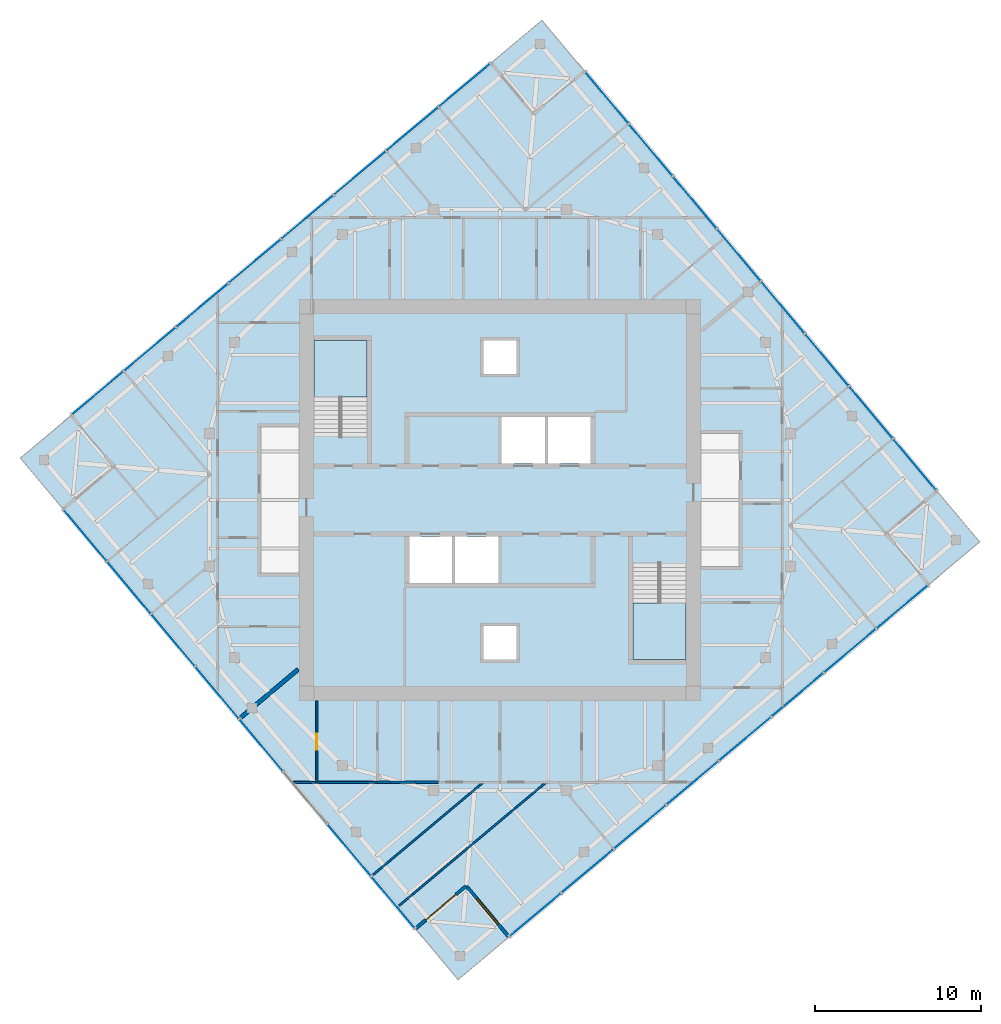
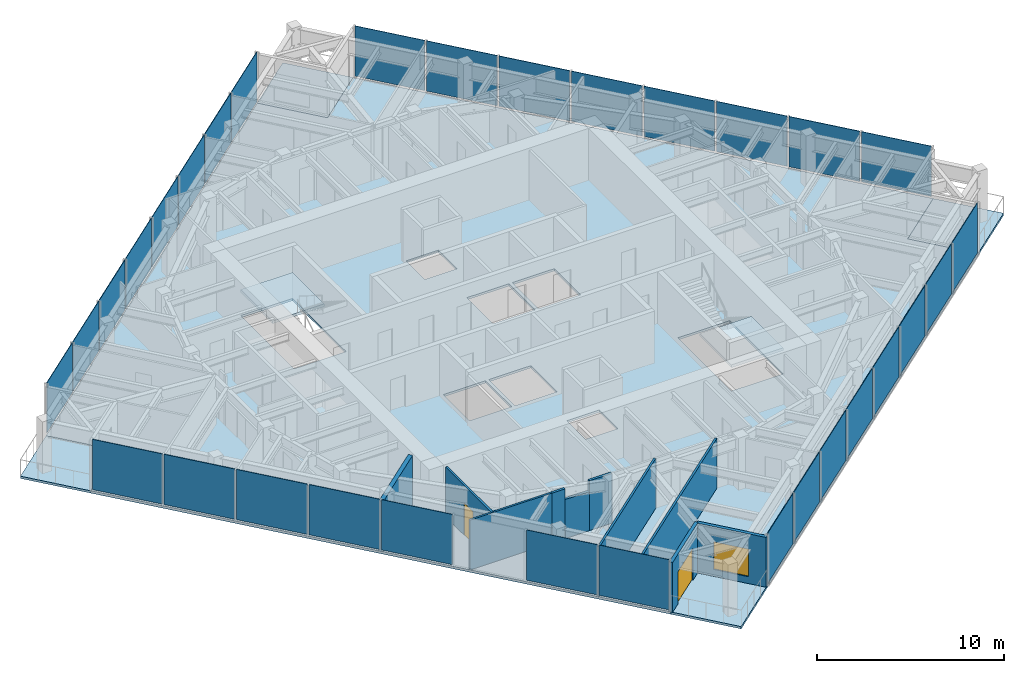
# One storey, part 6 of 11: 31 plates, 10 walls, 7 slabs, 2 doors, 1 window, 3 openings, 6 elements without a shape of their own.
"""IFC4 building model written with IfcOpenShell, lengths in metres."""

from ifc_helpers import new_model, si_unit, direction, frame, frame_2d, origin, origin_2d, place, context, subcontext, project, spatial, polyline, rectangle, outline, extrude, material, layer, layer_set, type_object, element, fill, aggregate, save


model = new_model("IFC4")

# Units and contexts
model_context = context("Model", 3, precision=1e-05, world=origin(), true_north=direction((0.0, 1.0)))
body_context = subcontext(model_context, "Body", "Model", "MODEL_VIEW")
ifc_project = project(units=[si_unit("LENGTHUNIT", "METRE"), si_unit("AREAUNIT", "SQUARE_METRE"), si_unit("VOLUMEUNIT", "CUBIC_METRE"), si_unit("PLANEANGLEUNIT", "RADIAN"), si_unit("MASSUNIT", "GRAM", prefix="KILO")], contexts=[model_context])

# Site, building, storey
site_placement = place(None, origin())
site = spatial("IfcSite", under=ifc_project, at=site_placement, CompositionType="ELEMENT")
building_placement = place(site_placement, origin())
building = spatial("IfcBuilding", under=site, at=building_placement, Name="Torsade Residences", CompositionType="ELEMENT")
storey_placement = place(building_placement, frame((0.0, 0.0, 272.60009765625)))
storey = spatial("IfcBuildingStorey", under=building, at=storey_placement, Name="L75", CompositionType="ELEMENT", Elevation=272.60009765625)

# Slab
ifc_material_1 = material(Name="Concrete 40 MPa", Category="concrete")
ifc_layer_1 = layer(ifc_material_1, 0.14990234375)
ifc_layer_set_1 = layer_set([ifc_layer_1], Name="Concrete 40 MPa")
slab_type_1 = type_object("IfcSlabType", Name="COMPOSITE FLOOR SLAB 150", PredefinedType="FLOOR", material=ifc_layer_set_1)
slab_1_placement = place(storey_placement, frame((0.0, 0.0, -0.150146484375)))
element("IfcSlab", 1, at=slab_1_placement, inside=storey, type_object=slab_type_1, Name="Floor slab L75", PredefinedType="FLOOR", context=body_context, shape_type="SweptSolid", body=[
    extrude(outline(polyline([(40.537353515625, 3.690185546875), (65.81689453125, 24.902099609375), (63.245849609375, 27.96630859375), (66.309814453125, 30.537353515625), (45.097900390625, 55.81689453125), (42.03369140625, 53.245849609375), (39.462646484375, 56.309814453125), (14.18310546875, 35.097900390625), (16.754150390625, 32.03369140625), (13.690185546875, 29.462646484375), (34.902099609375, 4.18310546875), (37.96630859375, 6.754150390625), (40.537353515625, 3.690185546875)]), holes=[polyline([(51.199951171875, 26.1201171875), (48.0, 26.1201171875), (48.0, 20.39990234375), (51.199951171875, 20.39990234375), (51.199951171875, 26.1201171875)]), polyline([(45.5, 35.0), (42.89990234375, 35.0), (42.89990234375, 32.199951171875), (45.5, 32.199951171875), (45.5, 35.0)]), polyline([(42.699951171875, 35.0), (40.10009765625, 35.0), (40.10009765625, 32.199951171875), (42.699951171875, 32.199951171875), (42.699951171875, 35.0)]), polyline([(41.0, 22.39990234375), (39.0, 22.39990234375), (39.0, 20.39990234375), (41.0, 20.39990234375), (41.0, 22.39990234375)]), polyline([(41.0, 39.60009765625), (39.0, 39.60009765625), (39.0, 37.60009765625), (41.0, 37.60009765625), (41.0, 39.60009765625)]), polyline([(39.89990234375, 27.800048828125), (37.300048828125, 27.800048828125), (37.300048828125, 25.0), (39.89990234375, 25.0), (39.89990234375, 27.800048828125)]), polyline([(37.10009765625, 27.800048828125), (34.5, 27.800048828125), (34.5, 25.0), (37.10009765625, 25.0), (37.10009765625, 27.800048828125)]), polyline([(32.0, 39.60009765625), (28.800048828125, 39.60009765625), (28.800048828125, 33.8798828125), (32.0, 33.8798828125), (32.0, 39.60009765625)])]), origin(), (0.0, 0.0, 1.0), 0.150146484375),
])

# Curtain wall, plates
ifc_material_2 = material(Name="Aluminium and glass", Category="aluminium")
curtain_wall_type = type_object("IfcCurtainWallType", Name="FRITTED GLASS CURTAIN WALL HIGH ZONE", PredefinedType="NOTDEFINED", material=ifc_material_2)
curtain_wall_1_placement = place(storey_placement, origin())
curtain_wall_1 = element("IfcCurtainWall", 2, at=curtain_wall_1_placement, inside=storey, type_object=curtain_wall_type, Name="Curtain wall L75 face 1", PredefinedType="NOTDEFINED")
ifc_material_3 = material(Name="Laminated glass", Category="glass")
ifc_layer_2 = layer(ifc_material_3, 0.031982421875)
ifc_layer_set_2 = layer_set([ifc_layer_2], Name="Laminated glass")
plate_type_1 = type_object("IfcPlateType", Name="FRITTED GLASS PANEL", PredefinedType="CURTAIN_PANEL", material=ifc_layer_set_2)
plate_1_placement = place(storey_placement, frame((42.136474609375, 5.031982421875, 0.1201171875), z_axis=(0.0, 0.0, 1.0), x_axis=(0.766044437106, 0.642787616853, 0.0)))
plate_1 = element("IfcPlate", 3, at=plate_1_placement, type_object=plate_type_1, Name="Panel 1", PredefinedType="CURTAIN_PANEL", context=body_context, shape_type="SweptSolid", body=[
    extrude(rectangle(XDim=3.97509765625, YDim=0.031982421875, at=origin_2d()), origin(), (0.0, 0.0, 1.0), 3.280029296875),
])
plate_2_placement = place(storey_placement, frame((48.437255859375, 10.31884765625, 0.1201171875), z_axis=(0.0, 0.0, 1.0), x_axis=(0.766044437106, 0.642787616853, 0.0)))
plate_2 = element("IfcPlate", 4, at=plate_2_placement, type_object=plate_type_1, Name="Panel 3", PredefinedType="CURTAIN_PANEL", context=body_context, shape_type="SweptSolid", body=[
    extrude(rectangle(XDim=4.02490234375, YDim=0.031982421875, at=origin_2d()), origin(), (0.0, 0.0, 1.0), 3.280029296875),
])
plate_3_placement = place(storey_placement, frame((51.59716796875, 12.970458984375, 0.1201171875), z_axis=(0.0, 0.0, 1.0), x_axis=(0.766044437106, 0.642787616853, 0.0)))
plate_3 = element("IfcPlate", 5, at=plate_3_placement, type_object=plate_type_1, Name="Panel 4", PredefinedType="CURTAIN_PANEL", context=body_context, shape_type="SweptSolid", body=[
    extrude(rectangle(XDim=4.02490234375, YDim=0.031982421875, at=origin_2d()), origin(), (0.0, 0.0, 1.0), 3.280029296875),
])
plate_4_placement = place(storey_placement, frame((54.757080078125, 15.621826171875, 0.1201171875), z_axis=(0.0, 0.0, 1.0), x_axis=(0.766044437106, 0.642787616853, 0.0)))
plate_4 = element("IfcPlate", 6, at=plate_4_placement, type_object=plate_type_1, Name="Panel 5", PredefinedType="CURTAIN_PANEL", context=body_context, shape_type="SweptSolid", body=[
    extrude(rectangle(XDim=4.02490234375, YDim=0.031982421875, at=origin_2d()), origin(), (0.0, 0.0, 1.0), 3.280029296875),
])
plate_5_placement = place(storey_placement, frame((61.076904296875, 20.9248046875, 0.1201171875), z_axis=(0.0, 0.0, 1.0), x_axis=(0.766044437106, 0.642787616853, 0.0)))
plate_5 = element("IfcPlate", 7, at=plate_5_placement, type_object=plate_type_1, Name="Panel 7", PredefinedType="CURTAIN_PANEL", context=body_context, shape_type="SweptSolid", body=[
    extrude(rectangle(XDim=4.02490234375, YDim=0.031982421875, at=origin_2d()), origin(), (0.0, 0.0, 1.0), 3.280029296875),
])
plate_6_placement = place(storey_placement, frame((64.2177734375, 23.560302734375, 0.1201171875), z_axis=(0.0, 0.0, 1.0), x_axis=(0.766044437106, 0.642787616853, 0.0)))
plate_6 = element("IfcPlate", 8, at=plate_6_placement, type_object=plate_type_1, Name="Panel 8", PredefinedType="CURTAIN_PANEL", context=body_context, shape_type="SweptSolid", body=[
    extrude(rectangle(XDim=3.97509765625, YDim=0.031982421875, at=origin_2d()), origin(), (0.0, 0.0, 1.0), 3.280029296875),
])

curtain_wall_2_placement = place(storey_placement, origin())
curtain_wall_2 = element("IfcCurtainWall", 9, at=curtain_wall_2_placement, inside=storey, type_object=curtain_wall_type, Name="Curtain wall L75 face 4", PredefinedType="NOTDEFINED")
plate_7_placement = place(storey_placement, frame((64.968017578125, 32.136474609375, 0.1201171875), z_axis=(0.0, 0.0, 1.0), x_axis=(-0.642787616853, 0.766044437106, 0.0)))
plate_7 = element("IfcPlate", 10, at=plate_7_placement, type_object=plate_type_1, Name="Panel 1", PredefinedType="CURTAIN_PANEL", context=body_context, shape_type="SweptSolid", body=[
    extrude(rectangle(XDim=3.97509765625, YDim=0.031982421875, at=origin_2d()), origin(), (0.0, 0.0, 1.0), 3.280029296875),
])
plate_8_placement = place(storey_placement, frame((59.68115234375, 38.437255859375, 0.1201171875), z_axis=(0.0, 0.0, 1.0), x_axis=(-0.642787616853, 0.766044437106, 0.0)))
plate_8 = element("IfcPlate", 11, at=plate_8_placement, type_object=plate_type_1, Name="Panel 3", PredefinedType="CURTAIN_PANEL", context=body_context, shape_type="SweptSolid", body=[
    extrude(rectangle(XDim=4.02490234375, YDim=0.031982421875, at=origin_2d()), origin(), (0.0, 0.0, 1.0), 3.280029296875),
])
plate_9_placement = place(storey_placement, frame((57.029541015625, 41.59716796875, 0.1201171875), z_axis=(0.0, 0.0, 1.0), x_axis=(-0.642787616853, 0.766044437106, 0.0)))
plate_9 = element("IfcPlate", 12, at=plate_9_placement, type_object=plate_type_1, Name="Panel 4", PredefinedType="CURTAIN_PANEL", context=body_context, shape_type="SweptSolid", body=[
    extrude(rectangle(XDim=4.02490234375, YDim=0.031982421875, at=origin_2d()), origin(), (0.0, 0.0, 1.0), 3.280029296875),
])
plate_10_placement = place(storey_placement, frame((54.378173828125, 44.757080078125, 0.1201171875), z_axis=(0.0, 0.0, 1.0), x_axis=(-0.642787616853, 0.766044437106, 0.0)))
plate_10 = element("IfcPlate", 13, at=plate_10_placement, type_object=plate_type_1, Name="Panel 5", PredefinedType="CURTAIN_PANEL", context=body_context, shape_type="SweptSolid", body=[
    extrude(rectangle(XDim=4.02490234375, YDim=0.031982421875, at=origin_2d()), origin(), (0.0, 0.0, 1.0), 3.280029296875),
])
plate_11_placement = place(storey_placement, frame((49.0751953125, 51.076904296875, 0.1201171875), z_axis=(0.0, 0.0, 1.0), x_axis=(-0.642787616853, 0.766044437106, 0.0)))
plate_11 = element("IfcPlate", 14, at=plate_11_placement, type_object=plate_type_1, Name="Panel 7", PredefinedType="CURTAIN_PANEL", context=body_context, shape_type="SweptSolid", body=[
    extrude(rectangle(XDim=4.02490234375, YDim=0.031982421875, at=origin_2d()), origin(), (0.0, 0.0, 1.0), 3.280029296875),
])
plate_12_placement = place(storey_placement, frame((46.439697265625, 54.2177734375, 0.1201171875), z_axis=(0.0, 0.0, 1.0), x_axis=(-0.642787616853, 0.766044437106, 0.0)))
plate_12 = element("IfcPlate", 15, at=plate_12_placement, type_object=plate_type_1, Name="Panel 8", PredefinedType="CURTAIN_PANEL", context=body_context, shape_type="SweptSolid", body=[
    extrude(rectangle(XDim=3.97509765625, YDim=0.031982421875, at=origin_2d()), origin(), (0.0, 0.0, 1.0), 3.280029296875),
])

curtain_wall_3_placement = place(storey_placement, origin())
curtain_wall_3 = element("IfcCurtainWall", 16, at=curtain_wall_3_placement, inside=storey, type_object=curtain_wall_type, Name="Curtain wall L75 face 7", PredefinedType="NOTDEFINED")
plate_13_placement = place(storey_placement, frame((37.863525390625, 54.968017578125, 0.1201171875), z_axis=(0.0, 0.0, 1.0), x_axis=(-0.766044437106, -0.642787616853, 0.0)))
plate_13 = element("IfcPlate", 17, at=plate_13_placement, type_object=plate_type_1, Name="Panel 1", PredefinedType="CURTAIN_PANEL", context=body_context, shape_type="SweptSolid", body=[
    extrude(rectangle(XDim=3.97509765625, YDim=0.031982421875, at=origin_2d()), origin(), (0.0, 0.0, 1.0), 3.280029296875),
])
plate_14_placement = place(storey_placement, frame((31.562744140625, 49.68115234375, 0.1201171875), z_axis=(0.0, 0.0, 1.0), x_axis=(-0.766044437106, -0.642787616853, 0.0)))
plate_14 = element("IfcPlate", 18, at=plate_14_placement, type_object=plate_type_1, Name="Panel 3", PredefinedType="CURTAIN_PANEL", context=body_context, shape_type="SweptSolid", body=[
    extrude(rectangle(XDim=4.02490234375, YDim=0.031982421875, at=origin_2d()), origin(), (0.0, 0.0, 1.0), 3.280029296875),
])
plate_15_placement = place(storey_placement, frame((28.40283203125, 47.029541015625, 0.1201171875), z_axis=(0.0, 0.0, 1.0), x_axis=(-0.766044437106, -0.642787616853, 0.0)))
plate_15 = element("IfcPlate", 19, at=plate_15_placement, type_object=plate_type_1, Name="Panel 4", PredefinedType="CURTAIN_PANEL", context=body_context, shape_type="SweptSolid", body=[
    extrude(rectangle(XDim=4.02490234375, YDim=0.031982421875, at=origin_2d()), origin(), (0.0, 0.0, 1.0), 3.280029296875),
])
plate_16_placement = place(storey_placement, frame((25.242919921875, 44.378173828125, 0.1201171875), z_axis=(0.0, 0.0, 1.0), x_axis=(-0.766044437106, -0.642787616853, 0.0)))
plate_16 = element("IfcPlate", 20, at=plate_16_placement, type_object=plate_type_1, Name="Panel 5", PredefinedType="CURTAIN_PANEL", context=body_context, shape_type="SweptSolid", body=[
    extrude(rectangle(XDim=4.02490234375, YDim=0.031982421875, at=origin_2d()), origin(), (0.0, 0.0, 1.0), 3.280029296875),
])
plate_17_placement = place(storey_placement, frame((18.923095703125, 39.0751953125, 0.1201171875), z_axis=(0.0, 0.0, 1.0), x_axis=(-0.766044437106, -0.642787616853, 0.0)))
plate_17 = element("IfcPlate", 21, at=plate_17_placement, type_object=plate_type_1, Name="Panel 7", PredefinedType="CURTAIN_PANEL", context=body_context, shape_type="SweptSolid", body=[
    extrude(rectangle(XDim=4.02490234375, YDim=0.031982421875, at=origin_2d()), origin(), (0.0, 0.0, 1.0), 3.280029296875),
])
plate_18_placement = place(storey_placement, frame((15.7822265625, 36.439697265625, 0.1201171875), z_axis=(0.0, 0.0, 1.0), x_axis=(-0.766044437106, -0.642787616853, 0.0)))
plate_18 = element("IfcPlate", 22, at=plate_18_placement, type_object=plate_type_1, Name="Panel 8", PredefinedType="CURTAIN_PANEL", context=body_context, shape_type="SweptSolid", body=[
    extrude(rectangle(XDim=3.97509765625, YDim=0.031982421875, at=origin_2d()), origin(), (0.0, 0.0, 1.0), 3.280029296875),
])

curtain_wall_4_placement = place(storey_placement, origin())
curtain_wall_4 = element("IfcCurtainWall", 23, at=curtain_wall_4_placement, inside=storey, type_object=curtain_wall_type, Name="Curtain wall L75 face 10", PredefinedType="NOTDEFINED")
plate_19_placement = place(storey_placement, frame((15.031982421875, 27.863525390625, 0.1201171875), z_axis=(0.0, 0.0, 1.0), x_axis=(0.642787616853, -0.766044437106, 0.0)))
plate_19 = element("IfcPlate", 24, at=plate_19_placement, type_object=plate_type_1, Name="Panel 1", PredefinedType="CURTAIN_PANEL", context=body_context, shape_type="SweptSolid", body=[
    extrude(rectangle(XDim=3.97509765625, YDim=0.031982421875, at=origin_2d()), origin(), (0.0, 0.0, 1.0), 3.280029296875),
])
plate_20_placement = place(storey_placement, frame((20.31884765625, 21.562744140625, 0.1201171875), z_axis=(0.0, 0.0, 1.0), x_axis=(0.642787616853, -0.766044437106, 0.0)))
plate_20 = element("IfcPlate", 25, at=plate_20_placement, type_object=plate_type_1, Name="Panel 3", PredefinedType="CURTAIN_PANEL", context=body_context, shape_type="SweptSolid", body=[
    extrude(rectangle(XDim=4.02490234375, YDim=0.031982421875, at=origin_2d()), origin(), (0.0, 0.0, 1.0), 3.280029296875),
])
plate_21_placement = place(storey_placement, frame((22.970458984375, 18.40283203125, 0.1201171875), z_axis=(0.0, 0.0, 1.0), x_axis=(0.642787616853, -0.766044437106, 0.0)))
plate_21 = element("IfcPlate", 26, at=plate_21_placement, type_object=plate_type_1, Name="Panel 4", PredefinedType="CURTAIN_PANEL", context=body_context, shape_type="SweptSolid", body=[
    extrude(rectangle(XDim=4.02490234375, YDim=0.031982421875, at=origin_2d()), origin(), (0.0, 0.0, 1.0), 3.280029296875),
])
plate_22_placement = place(storey_placement, frame((25.621826171875, 15.242919921875, 0.1201171875), z_axis=(0.0, 0.0, 1.0), x_axis=(0.642787616853, -0.766044437106, 0.0)))
plate_22 = element("IfcPlate", 27, at=plate_22_placement, type_object=plate_type_1, Name="Panel 5", PredefinedType="CURTAIN_PANEL", context=body_context, shape_type="SweptSolid", body=[
    extrude(rectangle(XDim=4.02490234375, YDim=0.031982421875, at=origin_2d()), origin(), (0.0, 0.0, 1.0), 3.280029296875),
])
plate_23_placement = place(storey_placement, frame((30.9248046875, 8.923095703125, 0.1201171875), z_axis=(0.0, 0.0, 1.0), x_axis=(0.642787616853, -0.766044437106, 0.0)))
plate_23 = element("IfcPlate", 28, at=plate_23_placement, type_object=plate_type_1, Name="Panel 7", PredefinedType="CURTAIN_PANEL", context=body_context, shape_type="SweptSolid", body=[
    extrude(rectangle(XDim=4.02490234375, YDim=0.031982421875, at=origin_2d()), origin(), (0.0, 0.0, 1.0), 3.280029296875),
])
plate_24_placement = place(storey_placement, frame((33.560302734375, 5.7822265625, 0.1201171875), z_axis=(0.0, 0.0, 1.0), x_axis=(0.642787616853, -0.766044437106, 0.0)))
plate_24 = element("IfcPlate", 29, at=plate_24_placement, type_object=plate_type_1, Name="Panel 8", PredefinedType="CURTAIN_PANEL", context=body_context, shape_type="SweptSolid", body=[
    extrude(rectangle(XDim=3.97509765625, YDim=0.031982421875, at=origin_2d()), origin(), (0.0, 0.0, 1.0), 3.280029296875),
])

# Plate
ifc_material_4 = material(Name="Laminated glass", Category="glass")
ifc_layer_3 = layer(ifc_material_4, 0.0400390625)
ifc_layer_set_3 = layer_set([ifc_layer_3], Name="Laminated glass")
plate_type_2 = type_object("IfcPlateType", Name="OPERABLE VENT PANEL", PredefinedType="CURTAIN_PANEL", material=ifc_layer_set_3)
plate_25_placement = place(storey_placement, frame((45.27734375, 7.667236328125, 0.1201171875), z_axis=(0.0, 0.0, 1.0), x_axis=(0.766044437106, 0.642787616853, 0.0)))
plate_25 = element("IfcPlate", 30, at=plate_25_placement, type_object=plate_type_2, Name="Panel 2", PredefinedType="CURTAIN_PANEL", context=body_context, shape_type="SweptSolid", body=[
    extrude(rectangle(XDim=4.02490234375, YDim=0.0400390625, at=origin_2d()), origin(), (0.0, 0.0, 1.0), 3.280029296875),
])

plate_26_placement = place(storey_placement, frame((57.9169921875, 18.2734375, 0.1201171875), z_axis=(0.0, 0.0, 1.0), x_axis=(0.766044437106, 0.642787616853, 0.0)))
plate_26 = element("IfcPlate", 31, at=plate_26_placement, type_object=plate_type_2, Name="Panel 6", PredefinedType="CURTAIN_PANEL", context=body_context, shape_type="SweptSolid", body=[
    extrude(rectangle(XDim=4.02490234375, YDim=0.0400390625, at=origin_2d()), origin(), (0.0, 0.0, 1.0), 3.280029296875),
])

aggregate(curtain_wall_1, [plate_1, plate_25, plate_2, plate_3, plate_4, plate_26, plate_5, plate_6])

plate_27_placement = place(storey_placement, frame((62.332763671875, 35.27734375, 0.1201171875), z_axis=(0.0, 0.0, 1.0), x_axis=(-0.642787616853, 0.766044437106, 0.0)))
plate_27 = element("IfcPlate", 32, at=plate_27_placement, type_object=plate_type_2, Name="Panel 2", PredefinedType="CURTAIN_PANEL", context=body_context, shape_type="SweptSolid", body=[
    extrude(rectangle(XDim=4.02490234375, YDim=0.0400390625, at=origin_2d()), origin(), (0.0, 0.0, 1.0), 3.280029296875),
])

plate_28_placement = place(storey_placement, frame((51.7265625, 47.9169921875, 0.1201171875), z_axis=(0.0, 0.0, 1.0), x_axis=(-0.642787616853, 0.766044437106, 0.0)))
plate_28 = element("IfcPlate", 33, at=plate_28_placement, type_object=plate_type_2, Name="Panel 6", PredefinedType="CURTAIN_PANEL", context=body_context, shape_type="SweptSolid", body=[
    extrude(rectangle(XDim=4.02490234375, YDim=0.0400390625, at=origin_2d()), origin(), (0.0, 0.0, 1.0), 3.280029296875),
])

aggregate(curtain_wall_2, [plate_7, plate_27, plate_8, plate_9, plate_10, plate_28, plate_11, plate_12])

plate_29_placement = place(storey_placement, frame((34.72265625, 52.332763671875, 0.1201171875), z_axis=(0.0, 0.0, 1.0), x_axis=(-0.766044437106, -0.642787616853, 0.0)))
plate_29 = element("IfcPlate", 34, at=plate_29_placement, type_object=plate_type_2, Name="Panel 2", PredefinedType="CURTAIN_PANEL", context=body_context, shape_type="SweptSolid", body=[
    extrude(rectangle(XDim=4.02490234375, YDim=0.0400390625, at=origin_2d()), origin(), (0.0, 0.0, 1.0), 3.280029296875),
])

plate_30_placement = place(storey_placement, frame((22.0830078125, 41.7265625, 0.1201171875), z_axis=(0.0, 0.0, 1.0), x_axis=(-0.766044437106, -0.642787616853, 0.0)))
plate_30 = element("IfcPlate", 35, at=plate_30_placement, type_object=plate_type_2, Name="Panel 6", PredefinedType="CURTAIN_PANEL", context=body_context, shape_type="SweptSolid", body=[
    extrude(rectangle(XDim=4.02490234375, YDim=0.0400390625, at=origin_2d()), origin(), (0.0, 0.0, 1.0), 3.280029296875),
])

aggregate(curtain_wall_3, [plate_13, plate_29, plate_14, plate_15, plate_16, plate_30, plate_17, plate_18])

plate_31_placement = place(storey_placement, frame((17.667236328125, 24.72265625, 0.1201171875), z_axis=(0.0, 0.0, 1.0), x_axis=(0.642787616853, -0.766044437106, 0.0)))
plate_31 = element("IfcPlate", 36, at=plate_31_placement, type_object=plate_type_2, Name="Panel 2", PredefinedType="CURTAIN_PANEL", context=body_context, shape_type="SweptSolid", body=[
    extrude(rectangle(XDim=4.02490234375, YDim=0.0400390625, at=origin_2d()), origin(), (0.0, 0.0, 1.0), 3.280029296875),
])

aggregate(curtain_wall_4, [plate_19, plate_31, plate_20, plate_21, plate_22, plate_23, plate_24])

# Stair, slab
ifc_material_5 = material(Name="Precast concrete 40 MPa", Category="concrete")
stair_type = type_object("IfcStairType", Name="HALF-TURN FIRE STAIR 1500x3400", PredefinedType="HALF_TURN_STAIR", material=ifc_material_5)
stair_1_placement = place(storey_placement, origin())
stair_1 = element("IfcStair", 37, at=stair_1_placement, inside=storey, type_object=stair_type, Name="Stair ST1 L75", PredefinedType="HALF_TURN_STAIR")
ifc_material_6 = material(Name="Precast concrete 40 MPa", Category="concrete")
ifc_layer_4 = layer(ifc_material_6, 0.179931640625)
ifc_layer_set_4 = layer_set([ifc_layer_4], Name="Precast concrete 40 MPa")
slab_type_2 = type_object("IfcSlabType", Name="PRECAST STAIR LANDING 180", PredefinedType="LANDING", material=ifc_layer_set_4)
slab_2_placement = place(storey_placement, frame((0.0, 0.0, 1.52001953125)))
slab_2 = element("IfcSlab", 38, at=slab_2_placement, type_object=slab_type_2, Name="ST1 landing 1", PredefinedType="LANDING", context=body_context, shape_type="SweptSolid", body=[
    extrude(outline(polyline([(28.800048828125, 36.2099609375), (32.0, 36.2099609375), (32.0, 39.60009765625), (28.800048828125, 39.60009765625), (28.800048828125, 36.2099609375)])), origin(), (0.0, 0.0, 1.0), 0.179931640625),
])
aggregate(stair_1, [slab_2])

stair_2_placement = place(storey_placement, origin())
stair_2 = element("IfcStair", 39, at=stair_2_placement, inside=storey, type_object=stair_type, Name="Stair ST2 L75", PredefinedType="HALF_TURN_STAIR")
slab_3_placement = place(storey_placement, frame((0.0, 0.0, 1.52001953125)))
slab_3 = element("IfcSlab", 40, at=slab_3_placement, type_object=slab_type_2, Name="ST2 landing 1", PredefinedType="LANDING", context=body_context, shape_type="SweptSolid", body=[
    extrude(outline(polyline([(48.0, 20.39990234375), (51.199951171875, 20.39990234375), (51.199951171875, 23.7900390625), (48.0, 23.7900390625), (48.0, 20.39990234375)])), origin(), (0.0, 0.0, 1.0), 0.179931640625),
])
aggregate(stair_2, [slab_3])

# Slabs
ifc_material_7 = material(Name="Concrete 40 MPa", Category="concrete")
ifc_layer_5 = layer(ifc_material_7, 0.14990234375)
ifc_layer_set_5 = layer_set([ifc_layer_5], Name="Concrete 40 MPa")
slab_type_3 = type_object("IfcSlabType", Name="TERRACE SLAB 150", PredefinedType="FLOOR", material=ifc_layer_set_5)
slab_4_placement = place(storey_placement, frame((0.0, 0.0, -0.150146484375)))
element("IfcSlab", 41, at=slab_4_placement, inside=storey, type_object=slab_type_3, Name="Corner terrace slab SE L75", PredefinedType="FLOOR", context=body_context, shape_type="SweptSolid", body=[
    extrude(outline(polyline([(65.81689453125, 24.902099609375), (68.881103515625, 27.47314453125), (66.309814453125, 30.537353515625), (63.245849609375, 27.96630859375), (65.81689453125, 24.902099609375)])), origin(), (0.0, 0.0, 1.0), 0.150146484375),
])
slab_5_placement = place(storey_placement, frame((0.0, 0.0, -0.150146484375)))
element("IfcSlab", 42, at=slab_5_placement, inside=storey, type_object=slab_type_3, Name="Corner terrace slab NE L75", PredefinedType="FLOOR", context=body_context, shape_type="SweptSolid", body=[
    extrude(outline(polyline([(42.03369140625, 53.245849609375), (45.097900390625, 55.81689453125), (42.52685546875, 58.881103515625), (39.462646484375, 56.309814453125), (42.03369140625, 53.245849609375)])), origin(), (0.0, 0.0, 1.0), 0.150146484375),
])
slab_6_placement = place(storey_placement, frame((0.0, 0.0, -0.150146484375)))
element("IfcSlab", 43, at=slab_6_placement, inside=storey, type_object=slab_type_3, Name="Corner terrace slab NW L75", PredefinedType="FLOOR", context=body_context, shape_type="SweptSolid", body=[
    extrude(outline(polyline([(13.690185546875, 29.462646484375), (16.754150390625, 32.03369140625), (14.18310546875, 35.097900390625), (11.118896484375, 32.52685546875), (13.690185546875, 29.462646484375)])), origin(), (0.0, 0.0, 1.0), 0.150146484375),
])
slab_7_placement = place(storey_placement, frame((0.0, 0.0, -0.150146484375)))
element("IfcSlab", 44, at=slab_7_placement, inside=storey, type_object=slab_type_3, Name="Corner terrace slab SW L75", PredefinedType="FLOOR", context=body_context, shape_type="SweptSolid", body=[
    extrude(outline(polyline([(37.47314453125, 1.118896484375), (40.537353515625, 3.690185546875), (37.96630859375, 6.754150390625), (34.902099609375, 4.18310546875), (37.47314453125, 1.118896484375)])), origin(), (0.0, 0.0, 1.0), 0.150146484375),
])

# Wall, opening, door
ifc_material_8 = material(Name="Plasterboard on steel stud", Category="steel")
ifc_layer_6 = layer(ifc_material_8, 0.1201171875)
ifc_layer_set_6 = layer_set([ifc_layer_6], Name="Plasterboard on steel stud")
wall_type_1 = type_object("IfcWallType", Name="PARTITION 120", PredefinedType="PARTITIONING", material=ifc_layer_set_6)
wall_1_placement = place(storey_placement, frame((28.972412109375, 13.0, 0.0), z_axis=(0.0, 0.0, 1.0), x_axis=(0.0, 1.0, 0.0)))
wall_1 = element("IfcWall", 45, at=wall_1_placement, inside=storey, type_object=wall_type_1, Name="Partition L75", PredefinedType="PARTITIONING", context=body_context, shape_type="SweptSolid", body=[
    extrude(rectangle(XDim=4.89990234375, YDim=0.1201171875, at=frame_2d((2.449951171875, 0.0))), origin(), (0.0, 0.0, 1.0), 3.25),
])
opening_1_placement = place(wall_1_placement, frame((1.969970703125, 0.0, 0.0)))
opening_1 = element("IfcOpeningElement", 46, at=opening_1_placement, cuts=wall_1, Name="Opening D05", PredefinedType="OPENING", context=body_context, shape_type="SweptSolid", body=[
    extrude(rectangle(XDim=0.9599609375, YDim=2.10009765625, at=frame_2d((0.47998046875, 1.050048828125))), frame((0.0, 0.070068359375, 0.0), z_axis=(0.0, -1.0, 0.0), x_axis=(1.0, 0.0, 0.0)), (0.0, 0.0, 1.0), 0.14013671875),
])
ifc_material_9 = material(Name="Hollow-core timber door in a steel cavity frame", Category="steel")
door_type_1 = type_object("IfcDoorType", Name="BATHROOM CAVITY SLIDING DOOR 960", OperationType="SLIDING_TO_LEFT", PredefinedType="DOOR", material=ifc_material_9)
door_1_placement = place(opening_1_placement, origin())
door_1 = element("IfcDoor", 47, at=door_1_placement, inside=storey, type_object=door_type_1, Name="Door Ensuite to Dressing room", OperationType="SLIDING_TO_LEFT", OverallHeight=2.10009765625, OverallWidth=0.9599609375, PredefinedType="DOOR", context=body_context, shape_type="SweptSolid", body=[
    extrude(rectangle(XDim=0.9599609375, YDim=2.10009765625, at=frame_2d((0.47998046875, 1.050048828125))), frame((0.0, 0.02490234375, 0.0), z_axis=(0.0, -1.0, 0.0), x_axis=(1.0, 0.0, 0.0)), (0.0, 0.0, 1.0), 0.050048828125),
])
fill(opening_1, door_1)

# Walls
wall_2_placement = place(storey_placement, frame((32.625, 13.0, 0.0), z_axis=(0.0, 0.0, 1.0), x_axis=(-1.0, 0.0, 0.0)))
element("IfcWall", 48, at=wall_2_placement, inside=storey, type_object=wall_type_1, Name="Partition L75", PredefinedType="PARTITIONING", context=body_context, shape_type="SweptSolid", body=[
    extrude(rectangle(XDim=5.06884765625, YDim=0.1201171875, at=frame_2d((2.534423828125, 0.0))), origin(), (0.0, 0.0, 1.0), 3.25),
])
wall_3_placement = place(storey_placement, frame((33.843994140625, 5.50634765625, 0.0), z_axis=(0.0, 0.0, 1.0), x_axis=(0.766038517939, 0.642794670975, 0.0)))
element("IfcWall", 49, at=wall_3_placement, inside=storey, type_object=wall_type_1, Name="Partition L75", PredefinedType="PARTITIONING", context=body_context, shape_type="SweptSolid", body=[
    extrude(rectangle(XDim=11.657958984375, YDim=0.1201171875, at=frame_2d((5.8291015625, 0.0))), origin(), (0.0, 0.0, 1.0), 3.25),
])
wall_4_placement = place(storey_placement, frame((38.9921875, 13.0, 0.0), z_axis=(0.0, 0.0, 1.0), x_axis=(-0.766046785022, -0.642784818704, 0.0)))
element("IfcWall", 50, at=wall_4_placement, inside=storey, type_object=wall_type_1, Name="Partition L75", PredefinedType="PARTITIONING", context=body_context, shape_type="SweptSolid", body=[
    extrude(rectangle(XDim=8.760498046875, YDim=0.1201171875, at=frame_2d((4.38037109375, 0.0))), origin(), (0.0, 0.0, 1.0), 3.25),
])
ifc_material_10 = material(Name="Masonry-lined stud party wall", Category="masonry")
ifc_layer_7 = layer(ifc_material_10, 0.25)
ifc_layer_set_7 = layer_set([ifc_layer_7], Name="Masonry-lined stud party wall")
wall_type_2 = type_object("IfcWallType", Name="PARTY WALL 250", PredefinedType="PARTITIONING", material=ifc_layer_set_7)
wall_5_placement = place(storey_placement, frame((24.296142578125, 16.82275390625, 0.0), z_axis=(0.0, 0.0, 1.0), x_axis=(0.76603440109, 0.64279957712, 0.0)))
element("IfcWall", 51, at=wall_5_placement, inside=storey, type_object=wall_type_2, Name="Party wall L75", PredefinedType="PARTITIONING", context=body_context, shape_type="SweptSolid", body=[
    extrude(rectangle(XDim=4.6396484375, YDim=0.25, at=frame_2d((2.31982421875, 0.0))), origin(), (0.0, 0.0, 1.0), 3.25),
])
ifc_material_11 = material(Name="Reinforced blockwork", Category="masonry")
ifc_layer_8 = layer(ifc_material_11, 0.14990234375)
ifc_layer_set_8 = layer_set([ifc_layer_8], Name="Reinforced blockwork")
wall_type_3 = type_object("IfcWallType", Name="SERVICE ROOM WALL 150", PredefinedType="SOLIDWALL", material=ifc_layer_set_8)
wall_6_placement = place(storey_placement, frame((36.300537109375, 13.0, 0.0), z_axis=(0.0, 0.0, 1.0), x_axis=(-1.0, 0.0, 0.0)))
element("IfcWall", 52, at=wall_6_placement, inside=storey, type_object=wall_type_3, Name="Service room wall L75", PredefinedType="SOLIDWALL", context=body_context, shape_type="SweptSolid", body=[
    extrude(rectangle(XDim=1.3837890625, YDim=0.14990234375, at=frame_2d((0.69189453125, 0.0))), origin(), (0.0, 0.0, 1.0), 3.25),
])
wall_7_placement = place(storey_placement, frame((34.916748046875, 13.0, 0.0), z_axis=(0.0, 0.0, 1.0), x_axis=(-1.0, 0.0, 0.0)))
element("IfcWall", 53, at=wall_7_placement, inside=storey, type_object=wall_type_3, Name="Service room wall L75", PredefinedType="SOLIDWALL", context=body_context, shape_type="SweptSolid", body=[
    extrude(rectangle(XDim=1.500244140625, YDim=0.14990234375, at=frame_2d((0.75, 0.0))), origin(), (0.0, 0.0, 1.0), 2.5498046875),
])
wall_8_placement = place(storey_placement, frame((33.41650390625, 13.0, 0.0), z_axis=(0.0, 0.0, 1.0), x_axis=(-1.0, 0.0, 0.0)))
element("IfcWall", 54, at=wall_8_placement, inside=storey, type_object=wall_type_3, Name="Service room wall L75", PredefinedType="SOLIDWALL", context=body_context, shape_type="SweptSolid", body=[
    extrude(rectangle(XDim=0.79150390625, YDim=0.14990234375, at=frame_2d((0.395751953125, 0.0))), origin(), (0.0, 0.0, 1.0), 3.25),
])

# Wall, opening, door
ifc_material_12 = material(Name="Stone-faced precast concrete 40 MPa panel", Category="masonry")
ifc_layer_9 = layer(ifc_material_12, 0.199951171875)
ifc_layer_set_9 = layer_set([ifc_layer_9], Name="Stone-faced precast concrete 40 MPa panel")
wall_type_4 = type_object("IfcWallType", Name="TERRACE WALL 200", PredefinedType="SOLIDWALL", material=ifc_layer_set_9)
wall_9_placement = place(storey_placement, frame((34.902099609375, 4.18310546875, 0.0), z_axis=(0.0, 0.0, 1.0), x_axis=(0.766060656284, 0.642768287094, 0.0)))
wall_9 = element("IfcWall", 55, at=wall_9_placement, inside=storey, type_object=wall_type_4, Name="Terrace wall L75 11", PredefinedType="SOLIDWALL", context=body_context, shape_type="SweptSolid", body=[
    extrude(rectangle(XDim=4.0, YDim=0.199951171875, at=frame_2d((2.0, 0.0))), origin(), (0.0, 0.0, 1.0), 3.25),
])
opening_2_placement = place(wall_9_placement, frame((0.800048828125, 0.0, 0.0)))
opening_2 = element("IfcOpeningElement", 56, at=opening_2_placement, cuts=wall_9, Name="Opening D10A", PredefinedType="OPENING", context=body_context, shape_type="SweptSolid", body=[
    extrude(rectangle(XDim=2.39990234375, YDim=2.10009765625, at=frame_2d((1.199951171875, 1.050048828125))), frame((0.0, 0.10986328125, 0.0), z_axis=(0.0, -1.0, 0.0), x_axis=(1.0, 0.0, 0.0)), (0.0, 0.0, 1.0), 0.219970703125),
])
ifc_material_13 = material(Name="Aluminium-framed glass door", Category="aluminium")
door_type_2 = type_object("IfcDoorType", Name="TERRACE SLIDING DOOR 2400x2100", OperationType="SLIDING_TO_LEFT", PredefinedType="DOOR", material=ifc_material_13)
door_2_placement = place(opening_2_placement, origin())
door_2 = element("IfcDoor", 57, at=door_2_placement, inside=storey, type_object=door_type_2, Name="Terrace door L75 11", OperationType="SLIDING_TO_LEFT", OverallHeight=2.10009765625, OverallWidth=2.39990234375, PredefinedType="DOOR", context=body_context, shape_type="SweptSolid", body=[
    extrude(rectangle(XDim=2.39990234375, YDim=2.10009765625, at=frame_2d((1.199951171875, 1.050048828125))), frame((0.0, 0.02490234375, 0.0), z_axis=(0.0, -1.0, 0.0), x_axis=(1.0, 0.0, 0.0)), (0.0, 0.0, 1.0), 0.050048828125),
])
fill(opening_2, door_2)

# Wall, opening, window
wall_10_placement = place(storey_placement, frame((37.96630859375, 6.754150390625, 0.0), z_axis=(0.0, 0.0, 1.0), x_axis=(0.642798342015, -0.766035437498, 0.0)))
wall_10 = element("IfcWall", 58, at=wall_10_placement, inside=storey, type_object=wall_type_4, Name="Terrace wall L75 12", PredefinedType="SOLIDWALL", context=body_context, shape_type="SweptSolid", body=[
    extrude(rectangle(XDim=3.999755859375, YDim=0.199951171875, at=frame_2d((2.0, 0.0))), origin(), (0.0, 0.0, 1.0), 3.25),
])
opening_3_placement = place(wall_10_placement, frame((1.0, 0.0, 0.449951171875)))
opening_3 = element("IfcOpeningElement", 59, at=opening_3_placement, cuts=wall_10, Name="Opening W1B", PredefinedType="OPENING", context=body_context, shape_type="SweptSolid", body=[
    extrude(rectangle(XDim=2.0, YDim=1.800048828125, at=frame_2d((1.0, 0.89990234375))), frame((0.0, 0.10986328125, 0.0), z_axis=(0.0, -1.0, 0.0), x_axis=(1.0, 0.0, 0.0)), (0.0, 0.0, 1.0), 0.219970703125),
])
ifc_material_14 = material(Name="Aluminium-framed glass window", Category="aluminium")
window_type = type_object("IfcWindowType", Name="TERRACE WINDOW 2000x1800", PartitioningType="SINGLE_PANEL", PredefinedType="WINDOW", material=ifc_material_14)
window_placement = place(opening_3_placement, origin())
window = element("IfcWindow", 60, at=window_placement, inside=storey, type_object=window_type, Name="Terrace window L75 12", OverallHeight=1.800048828125, OverallWidth=2.0, PartitioningType="SINGLE_PANEL", PredefinedType="WINDOW", context=body_context, shape_type="SweptSolid", body=[
    extrude(rectangle(XDim=2.0, YDim=1.800048828125, at=frame_2d((1.0, 0.89990234375))), frame((0.0, 0.030029296875, 0.0), z_axis=(0.0, -1.0, 0.0), x_axis=(1.0, 0.0, 0.0)), (0.0, 0.0, 1.0), 0.06005859375),
])
fill(opening_3, window)

save(model, "model.ifc")
